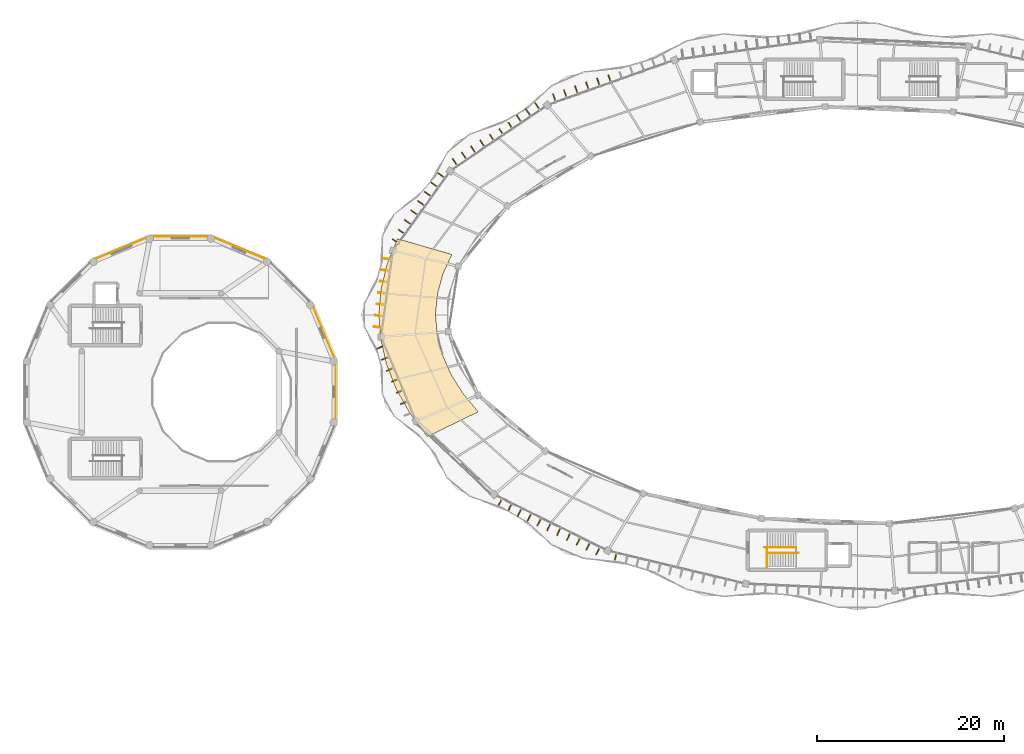
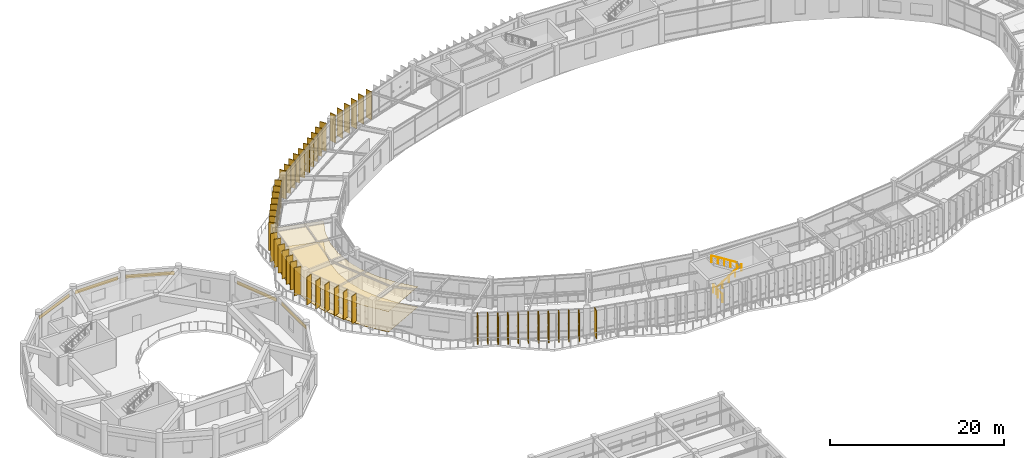
# One storey, part 132 of 138: 49 shading devices, 7 coverings, 3 railings.
"""IFC4 building model written with IfcOpenShell, lengths in metres."""

from ifc_helpers import new_model, si_unit, direction, frame, origin, origin_2d, place, context, subcontext, project, spatial, polyline, rectangle, circle, outline, extrude, material, layer, layer_set, type_object, element, save


model = new_model("IFC4")

# Units and contexts
model_context = context("Model", 3, precision=1e-05, world=origin(), true_north=direction((0.0, 1.0)))
body_context = subcontext(model_context, "Body", "Model", "MODEL_VIEW")
ifc_project = project(units=[si_unit("LENGTHUNIT", "METRE"), si_unit("AREAUNIT", "SQUARE_METRE"), si_unit("VOLUMEUNIT", "CUBIC_METRE"), si_unit("PLANEANGLEUNIT", "RADIAN"), si_unit("MASSUNIT", "GRAM", prefix="KILO"), si_unit("THERMODYNAMICTEMPERATUREUNIT", "KELVIN"), si_unit("POWERUNIT", "WATT")], contexts=[model_context])

# Site, building, storey
site_placement = place(None, origin())
site = spatial("IfcSite", under=ifc_project, at=site_placement, CompositionType="ELEMENT")
building_placement = place(site_placement, origin())
building = spatial("IfcBuilding", under=site, at=building_placement, Name="Darbajah Civic Hall", CompositionType="ELEMENT")
storey_placement = place(building_placement, frame((0.0, 0.0, 9.60009765625)))
storey = spatial("IfcBuildingStorey", under=building, at=storey_placement, Name="L02", CompositionType="ELEMENT", Elevation=9.60009765625)

# Railings
ifc_material_1 = material(Name="Brushed Bronze Stainless Steel", Category="steel")
railing_type_1 = type_object("IfcRailingType", Name="Brushed Bronze Handrail", PredefinedType="HANDRAIL", material=ifc_material_1)
railing_1_placement = place(storey_placement, frame((79.47998046875, 64.39990234375, 0.1748046875)))
element("IfcRailing", 1, at=railing_1_placement, inside=storey, type_object=railing_type_1, Name="ST03 L02 lower flight handrail", PredefinedType="HANDRAIL", context=body_context, shape_type="SweptSolid", body=[
    extrude(circle(Radius=0.02392578125, at=origin_2d()), frame((0.023193359375, 0.0, 0.910400390625), z_axis=(0.845944288966, 0.0, 0.533271281775), x_axis=(0.0, 1.0, 0.0)), (0.0, 0.0, 1.0), 3.91748046875),
    extrude(circle(Radius=0.02099609375, at=origin_2d()), origin(), (0.0, 0.0, 1.0), 0.867919921875),
    extrude(circle(Radius=0.02099609375, at=origin_2d()), frame((0.840087890625, 0.0, 0.529541015625)), (0.0, 0.0, 1.0), 0.867919921875),
    extrude(circle(Radius=0.02099609375, at=origin_2d()), frame((1.68017578125, 0.0, 1.05908203125)), (0.0, 0.0, 1.0), 0.867919921875),
    extrude(circle(Radius=0.02099609375, at=origin_2d()), frame((2.52001953125, 0.0, 1.588623046875)), (0.0, 0.0, 1.0), 0.867919921875),
    extrude(circle(Radius=0.02099609375, at=origin_2d()), frame((3.360107421875, 0.0, 2.1181640625)), (0.0, 0.0, 1.0), 0.867919921875),
])
railing_2_placement = place(storey_placement, frame((82.56005859375, 65.0, 2.27490234375)))
element("IfcRailing", 2, at=railing_2_placement, inside=storey, type_object=railing_type_1, Name="ST03 L02 upper flight handrail", PredefinedType="HANDRAIL", context=body_context, shape_type="SweptSolid", body=[
    extrude(circle(Radius=0.02392578125, at=origin_2d()), frame((-0.023193359375, 0.0, 0.910400390625), z_axis=(-0.845944288966, 0.0, 0.533271281775), x_axis=(0.0, -1.0, 0.0)), (0.0, 0.0, 1.0), 3.91748046875),
    extrude(circle(Radius=0.02099609375, at=origin_2d()), origin(), (0.0, 0.0, 1.0), 0.867919921875),
    extrude(circle(Radius=0.02099609375, at=origin_2d()), frame((-0.840087890625, 0.0, 0.529541015625)), (0.0, 0.0, 1.0), 0.867919921875),
    extrude(circle(Radius=0.02099609375, at=origin_2d()), frame((-1.68017578125, 0.0, 1.05908203125)), (0.0, 0.0, 1.0), 0.867919921875),
    extrude(circle(Radius=0.02099609375, at=origin_2d()), frame((-2.52001953125, 0.0, 1.588623046875)), (0.0, 0.0, 1.0), 0.867919921875),
    extrude(circle(Radius=0.02099609375, at=origin_2d()), frame((-3.360107421875, 0.0, 2.1181640625)), (0.0, 0.0, 1.0), 0.867919921875),
])

# Covering
ifc_material_2 = material(Name="Honed Qatari Limestone Terrazzo", Category="masonry")
ifc_layer_1 = layer(ifc_material_2, 0.030029296875, Name="Honed Qatari Limestone Terrazzo")
ifc_layer_set_1 = layer_set([ifc_layer_1], Name="Honed Qatari Limestone Terrazzo")
covering_type_1 = type_object("IfcCoveringType", Name="Honed Qatari Limestone Terrazzo Flooring", PredefinedType="FLOORING", material=ifc_layer_set_1)
covering_1_placement = place(storey_placement, origin())
element("IfcCovering", 3, at=covering_1_placement, inside=storey, type_object=covering_type_1, Name="L02 stone terrazzo flooring L02-V1-06", PredefinedType="FLOORING", context=body_context, shape_type="SweptSolid", body=[
    extrude(outline(polyline([(39.9794921875, 97.958984375), (38.896728515625, 95.321044921875), (38.2353515625, 92.636962890625), (38.00048828125, 89.92919921875), (38.194580078125, 87.22021484375), (38.8154296875, 84.532958984375), (39.8583984375, 81.8896484375), (41.314697265625, 79.31298828125), (43.171630859375, 76.82421875), (48.609375, 79.476318359375), (46.97216796875, 81.456298828125), (45.6884765625, 83.506591796875), (44.76904296875, 85.609375), (44.221435546875, 87.74755859375), (44.05029296875, 89.90283203125), (44.25732421875, 92.05712890625), (44.840576171875, 94.192626953125), (45.795166015625, 96.291259765625), (39.9794921875, 97.958984375)])), origin(), (0.0, 0.0, 1.0), 0.02978515625),
])

# Railing
ifc_material_3 = material(Name="Brushed Bronze and Laminated Safety Glass", Category="glass")
railing_type_2 = type_object("IfcRailingType", Name="Interior Guard Balustrade", PredefinedType="BALUSTRADE", material=ifc_material_3)
railing_3_placement = place(storey_placement, frame((79.429931640625, 62.85009765625, 0.0)))
element("IfcRailing", 4, at=railing_3_placement, inside=storey, type_object=railing_type_2, Name="ST03 L02 stair-well edge guard", PredefinedType="BALUSTRADE", context=body_context, shape_type="SweptSolid", body=[
    extrude(circle(Radius=0.02392578125, at=origin_2d()), frame((0.0, 0.02734375, 1.09619140625), z_axis=(0.0, 1.0, 0.0), x_axis=(-1.0, 0.0, 0.0)), (0.0, 0.0, 1.0), 2.09521484375),
    extrude(circle(Radius=0.02099609375, at=origin_2d()), origin(), (0.0, 0.0, 1.0), 1.068115234375),
    extrude(circle(Radius=0.02099609375, at=origin_2d()), frame((0.0, 1.074951171875, 0.0)), (0.0, 0.0, 1.0), 1.068115234375),
    extrude(circle(Radius=0.02099609375, at=origin_2d()), frame((0.0, 2.14990234375, 0.0)), (0.0, 0.0, 1.0), 1.068115234375),
])

# Coverings
ifc_material_4 = material(Name="Qatari Desert Limestone Ashlar", Category="masonry")
ifc_layer_2 = layer(ifc_material_4, 0.044921875, Name="Qatari Desert Limestone Ashlar")
ifc_layer_set_2 = layer_set([ifc_layer_2], Name="Qatari Desert Limestone Ashlar")
covering_type_2 = type_object("IfcCoveringType", Name="Limestone Facade Cladding", PredefinedType="CLADDING", material=ifc_layer_set_2)
covering_2_placement = place(storey_placement, frame((0.0, 0.0, 2.6298828125)))
element("IfcCovering", 5, at=covering_2_placement, inside=storey, type_object=covering_type_2, Name="L02 stone frieze cladding EW-V2-L02-00", PredefinedType="CLADDING", context=body_context, shape_type="SweptSolid", body=[
    extrude(outline(polyline([(33.20166015625, 85.30224609375), (31.015625, 90.579833984375), (31.05712890625, 90.596923828125), (33.243408203125, 85.319580078125), (33.20166015625, 85.30224609375)])), origin(), (0.0, 0.0, 1.0), 0.5),
])
covering_3_placement = place(storey_placement, frame((0.0, 0.0, 2.6298828125)))
element("IfcCovering", 6, at=covering_3_placement, inside=storey, type_object=covering_type_2, Name="L02 stone frieze cladding EW-V2-L02-02", PredefinedType="CLADDING", context=body_context, shape_type="SweptSolid", body=[
    extrude(outline(polyline([(25.77978515625, 95.815673828125), (20.502197265625, 98.001708984375), (20.51953125, 98.043212890625), (25.797119140625, 95.857177734375), (25.77978515625, 95.815673828125)])), origin(), (0.0, 0.0, 1.0), 0.5),
])
covering_4_placement = place(storey_placement, frame((0.0, 0.0, 2.6298828125)))
element("IfcCovering", 7, at=covering_4_placement, inside=storey, type_object=covering_type_2, Name="L02 stone frieze cladding EW-V2-L02-03", PredefinedType="CLADDING", context=body_context, shape_type="SweptSolid", body=[
    extrude(outline(polyline([(19.65625, 98.169921875), (13.94384765625, 98.169921875), (13.94384765625, 98.215087890625), (19.65625, 98.215087890625), (19.65625, 98.169921875)])), origin(), (0.0, 0.0, 1.0), 0.5),
])
covering_5_placement = place(storey_placement, frame((0.0, 0.0, 2.6298828125)))
element("IfcCovering", 8, at=covering_5_placement, inside=storey, type_object=covering_type_2, Name="L02 stone frieze cladding EW-V2-L02-04", PredefinedType="CLADDING", context=body_context, shape_type="SweptSolid", body=[
    extrude(outline(polyline([(13.09765625, 98.001708984375), (7.8203125, 95.815673828125), (7.802978515625, 95.857177734375), (13.08056640625, 98.043212890625), (13.09765625, 98.001708984375)])), origin(), (0.0, 0.0, 1.0), 0.5),
])
covering_6_placement = place(storey_placement, frame((0.0, 0.0, 2.6298828125)))
element("IfcCovering", 9, at=covering_6_placement, inside=storey, type_object=covering_type_2, Name="L02 stone frieze cladding EW-V2-L02-15", PredefinedType="CLADDING", context=body_context, shape_type="SweptSolid", body=[
    extrude(outline(polyline([(33.3701171875, 78.743896484375), (33.3701171875, 84.456298828125), (33.4150390625, 84.456298828125), (33.4150390625, 78.743896484375), (33.3701171875, 78.743896484375)])), origin(), (0.0, 0.0, 1.0), 0.5),
])
ifc_material_5 = material(Name="Perforated Acoustic Gypsum Board")
ifc_layer_3 = layer(ifc_material_5, 0.02490234375, Name="Perforated Acoustic Gypsum Board")
ifc_layer_set_3 = layer_set([ifc_layer_3], Name="Perforated Acoustic Gypsum Board")
covering_type_3 = type_object("IfcCoveringType", Name="Perforated Acoustic Gypsum Ceiling", PredefinedType="CEILING", material=ifc_layer_set_3)
covering_7_placement = place(storey_placement, frame((0.0, 0.0, 2.849853515625)))
element("IfcCovering", 10, at=covering_7_placement, inside=storey, type_object=covering_type_3, Name="L02 acoustic suspended ceiling L02-V1-06", PredefinedType="CEILING", context=body_context, shape_type="SweptSolid", body=[
    extrude(outline(polyline([(39.9794921875, 97.958984375), (38.896728515625, 95.321044921875), (38.2353515625, 92.636962890625), (38.00048828125, 89.92919921875), (38.194580078125, 87.22021484375), (38.8154296875, 84.532958984375), (39.8583984375, 81.8896484375), (41.314697265625, 79.31298828125), (43.171630859375, 76.82421875), (48.609375, 79.476318359375), (46.97216796875, 81.456298828125), (45.6884765625, 83.506591796875), (44.76904296875, 85.609375), (44.221435546875, 87.74755859375), (44.05029296875, 89.90283203125), (44.25732421875, 92.05712890625), (44.840576171875, 94.192626953125), (45.795166015625, 96.291259765625), (39.9794921875, 97.958984375)])), origin(), (0.0, 0.0, 1.0), 0.025146484375),
])

# Shading devices
ifc_material_6 = material(Name="Bronze Anodised Aluminium and Teak Composite", Category="aluminium")
shading_device_type = type_object("IfcShadingDeviceType", Name="Vertical Bronze Timber Shading Fin", PredefinedType="USERDEFINED", material=ifc_material_6)
for number, where, z_axis, x_axis, name in (
    (11, (62.6416015625, 115.03515625, 0.0), (0.0, 0.0, 1.0), (-0.334135882844, 0.94252491309, 0.0), "L02 vertical shading fin VF-06-6"),
    (12, (61.43212890625, 114.711669921875, 0.0), (0.0, 0.0, 1.0), (-0.334135882844, 0.94252491309, 0.0), "L02 vertical shading fin VF-06-7"),
    (13, (60.255615234375, 114.294677734375, 0.0), (0.0, 0.0, 1.0), (-0.334135882844, 0.94252491309, 0.0), "L02 vertical shading fin VF-06-8"),
    (14, (59.0791015625, 113.877685546875, 0.0), (0.0, 0.0, 1.0), (-0.334135882844, 0.94252491309, 0.0), "L02 vertical shading fin VF-06-9"),
    (15, (57.902587890625, 113.46044921875, 0.0), (0.0, 0.0, 1.0), (-0.334135882844, 0.94252491309, 0.0), "L02 vertical shading fin VF-06-10"),
    (16, (56.72607421875, 113.04345703125, 0.0), (0.0, 0.0, 1.0), (-0.334135882844, 0.94252491309, 0.0), "L02 vertical shading fin VF-06-11"),
    (17, (54.908935546875, 112.1298828125, 0.0), (0.0, 0.0, 1.0), (-0.560783509816, 0.827962472047, 0.0), "L02 vertical shading fin VF-07-1"),
    (18, (53.930908203125, 111.467529296875, 0.0), (0.0, 0.0, 1.0), (-0.560783509816, 0.827962472047, 0.0), "L02 vertical shading fin VF-07-2"),
    (19, (52.952880859375, 110.80517578125, 0.0), (0.0, 0.0, 1.0), (-0.560783509816, 0.827962472047, 0.0), "L02 vertical shading fin VF-07-3"),
    (20, (52.039306640625, 110.047607421875, 0.0), (0.0, 0.0, 1.0), (-0.560783509816, 0.827962472047, 0.0), "L02 vertical shading fin VF-07-4"),
    (21, (51.08447265625, 109.351318359375, 0.0), (0.0, 0.0, 1.0), (-0.560783509816, 0.827962472047, 0.0), "L02 vertical shading fin VF-07-5"),
    (22, (50.08349609375, 108.72265625, 0.0), (0.0, 0.0, 1.0), (-0.560783509816, 0.827962472047, 0.0), "L02 vertical shading fin VF-07-6"),
    (23, (49.04541015625, 108.149169921875, 0.0), (0.0, 0.0, 1.0), (-0.560783509816, 0.827962472047, 0.0), "L02 vertical shading fin VF-07-7"),
    (24, (48.06298828125, 107.493408203125, 0.0), (0.0, 0.0, 1.0), (-0.560783509816, 0.827962472047, 0.0), "L02 vertical shading fin VF-07-8"),
    (25, (47.0849609375, 106.8310546875, 0.0), (0.0, 0.0, 1.0), (-0.560783509816, 0.827962472047, 0.0), "L02 vertical shading fin VF-07-9"),
    (26, (46.10693359375, 106.168701171875, 0.0), (0.0, 0.0, 1.0), (-0.560783509816, 0.827962472047, 0.0), "L02 vertical shading fin VF-07-10"),
    (27, (44.6357421875, 104.730224609375, 0.0), (0.0, 0.0, 1.0), (-0.812999149039, 0.582264874145, 0.0), "L02 vertical shading fin VF-08-1"),
    (28, (43.923583984375, 103.73583984375, 0.0), (0.0, 0.0, 1.0), (-0.812999149039, 0.582264874145, 0.0), "L02 vertical shading fin VF-08-2"),
    (29, (43.211669921875, 102.741455078125, 0.0), (0.0, 0.0, 1.0), (-0.812999149039, 0.582264874145, 0.0), "L02 vertical shading fin VF-08-3"),
    (30, (42.49951171875, 101.747314453125, 0.0), (0.0, 0.0, 1.0), (-0.812999149039, 0.582264874145, 0.0), "L02 vertical shading fin VF-08-4"),
    (31, (41.78759765625, 100.752685546875, 0.0), (0.0, 0.0, 1.0), (-0.812999149039, 0.582264874145, 0.0), "L02 vertical shading fin VF-08-5"),
    (32, (41.102783203125, 99.739013671875, 0.0), (0.0, 0.0, 1.0), (-0.812999149039, 0.582264874145, 0.0), "L02 vertical shading fin VF-08-6"),
    (33, (40.466796875, 98.68994140625, 0.0), (0.0, 0.0, 1.0), (-0.812999149039, 0.582264874145, 0.0), "L02 vertical shading fin VF-08-7"),
    (34, (39.778076171875, 97.67919921875, 0.0), (0.0, 0.0, 1.0), (-0.812999149039, 0.582264874145, 0.0), "L02 vertical shading fin VF-08-8"),
    (35, (38.92578125, 95.7919921875, 0.0), (0.0, 0.0, 1.0), (-0.990865897387, 0.134850930274, 0.0), "L02 vertical shading fin VF-09-1"),
    (36, (38.703369140625, 94.5849609375, 0.0), (0.0, 0.0, 1.0), (-0.990865897387, 0.134850930274, 0.0), "L02 vertical shading fin VF-09-2"),
    (37, (38.5380859375, 93.370361328125, 0.0), (0.0, 0.0, 1.0), (-0.990865897387, 0.134850930274, 0.0), "L02 vertical shading fin VF-09-3"),
    (38, (38.372802734375, 92.155517578125, 0.0), (0.0, 0.0, 1.0), (-0.990865897387, 0.134850930274, 0.0), "L02 vertical shading fin VF-09-4"),
    (39, (38.20751953125, 90.940673828125, 0.0), (0.0, 0.0, 1.0), (-0.990865897387, 0.134850930274, 0.0), "L02 vertical shading fin VF-09-5"),
    (40, (38.042236328125, 89.725830078125, 0.0), (0.0, 0.0, 1.0), (-0.990865897387, 0.134850930274, 0.0), "L02 vertical shading fin VF-09-6"),
    (41, (37.876953125, 88.510986328125, 0.0), (0.0, 0.0, 1.0), (-0.990865897387, 0.134850930274, 0.0), "L02 vertical shading fin VF-09-7"),
    (42, (38.1630859375, 86.368408203125, 0.0), (0.0, 0.0, 1.0), (-0.923612143954, -0.383328328644, 0.0), "L02 vertical shading fin VF-10-1"),
    (43, (38.65673828125, 85.17919921875, 0.0), (0.0, 0.0, 1.0), (-0.923612143954, -0.383328328644, 0.0), "L02 vertical shading fin VF-10-2"),
    (44, (39.17626953125, 84.000732421875, 0.0), (0.0, 0.0, 1.0), (-0.923612143954, -0.383328328644, 0.0), "L02 vertical shading fin VF-10-3"),
    (45, (39.7646484375, 82.850830078125, 0.0), (0.0, 0.0, 1.0), (-0.923612143954, -0.383328328644, 0.0), "L02 vertical shading fin VF-10-4"),
    (46, (40.279052734375, 81.67041015625, 0.0), (0.0, 0.0, 1.0), (-0.923612143954, -0.383328328644, 0.0), "L02 vertical shading fin VF-10-5"),
    (47, (40.71142578125, 80.45556640625, 0.0), (0.0, 0.0, 1.0), (-0.923612143954, -0.383328328644, 0.0), "L02 vertical shading fin VF-10-6"),
    (48, (50.997802734375, 69.90380859375, 0.0), (0.0, 0.0, 1.0), (-0.442914717678, -0.89656374724, 0.0), "L02 vertical shading fin VF-12-1"),
    (49, (52.021728515625, 69.3427734375, 0.0), (0.0, 0.0, 1.0), (-0.442914717678, -0.89656374724, 0.0), "L02 vertical shading fin VF-12-2"),
    (50, (53.02099609375, 68.732177734375, 0.0), (0.0, 0.0, 1.0), (-0.442914717678, -0.89656374724, 0.0), "L02 vertical shading fin VF-12-3"),
    (51, (54.066650390625, 68.215576171875, 0.0), (0.0, 0.0, 1.0), (-0.442914717678, -0.89656374724, 0.0), "L02 vertical shading fin VF-12-4"),
    (52, (55.1123046875, 67.69921875, 0.0), (0.0, 0.0, 1.0), (-0.442914717678, -0.89656374724, 0.0), "L02 vertical shading fin VF-12-5"),
    (53, (56.15771484375, 67.1826171875, 0.0), (0.0, 0.0, 1.0), (-0.442914717678, -0.89656374724, 0.0), "L02 vertical shading fin VF-12-6"),
    (54, (57.20361328125, 66.666015625, 0.0), (0.0, 0.0, 1.0), (-0.442914717678, -0.89656374724, 0.0), "L02 vertical shading fin VF-12-7"),
    (55, (58.2490234375, 66.1494140625, 0.0), (0.0, 0.0, 1.0), (-0.442914717678, -0.89656374724, 0.0), "L02 vertical shading fin VF-12-8"),
    (56, (59.294921875, 65.6328125, 0.0), (0.0, 0.0, 1.0), (-0.442914717678, -0.89656374724, 0.0), "L02 vertical shading fin VF-12-9"),
    (57, (60.34033203125, 65.1162109375, 0.0), (0.0, 0.0, 1.0), (-0.442914717678, -0.89656374724, 0.0), "L02 vertical shading fin VF-12-10"),
    (58, (61.385986328125, 64.599609375, 0.0), (0.0, 0.0, 1.0), (-0.442914717678, -0.89656374724, 0.0), "L02 vertical shading fin VF-12-11"),
    (59, (63.296142578125, 64.072509765625, 0.0), (0.0, 0.0, 1.0), (-0.232936200179, -0.972492018808, 0.0), "L02 vertical shading fin VF-13-1"),
):
    element("IfcShadingDevice", number, at=place(storey_placement, frame(where, z_axis=z_axis, x_axis=x_axis)), inside=storey, type_object=shading_device_type, Name=name, ObjectType="VERTICAL FIN", PredefinedType="USERDEFINED", context=body_context, shape_type="SweptSolid", body=[
        extrude(rectangle(XDim=0.85009765625, YDim=0.090087890625, at=origin_2d()), origin(), (0.0, 0.0, 1.0), 3.919921875),
    ])

save(model, "model.ifc")
